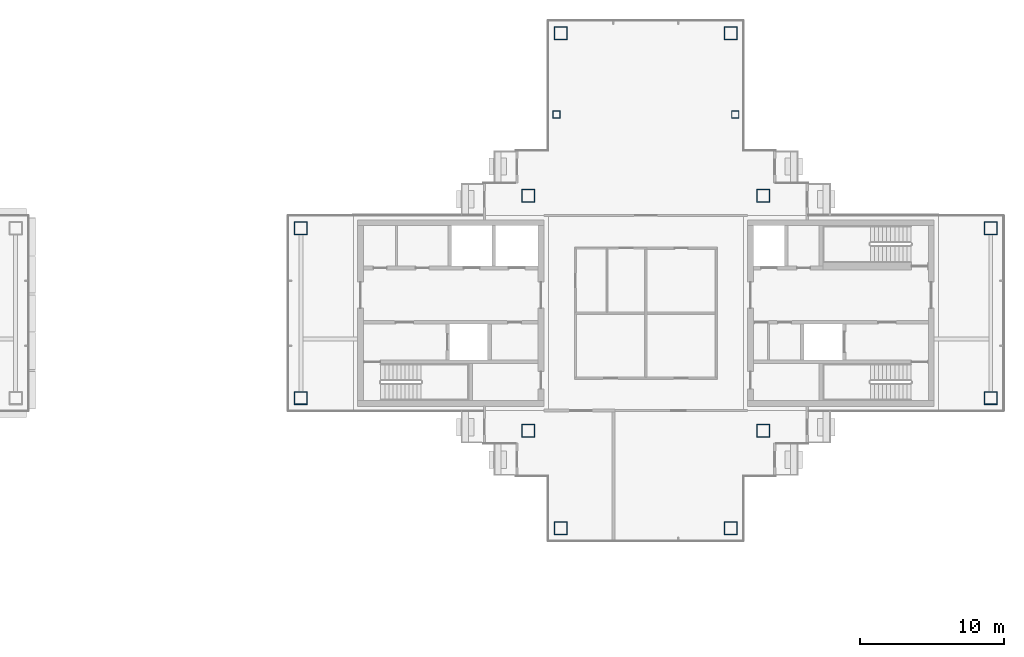
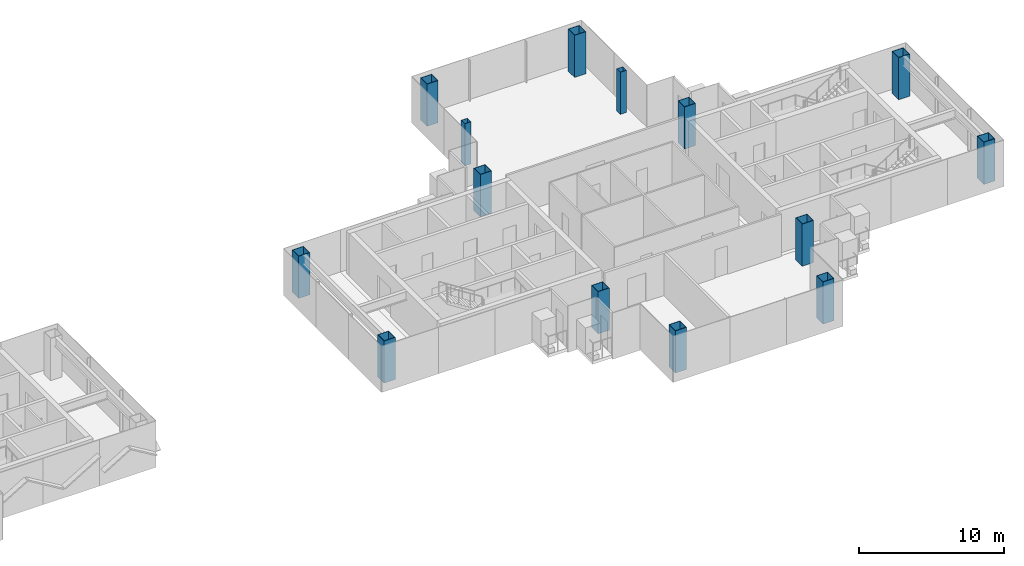
# One storey, part 2 of 17: 14 columns.
"""IFC4 building model written with IfcOpenShell, lengths in metres."""

from ifc_helpers import new_model, si_unit, direction, frame, origin, origin_2d, place, context, subcontext, project, spatial, hollow_rectangle, extrude, material, material_profile, profile_set, type_object, element, save


model = new_model("IFC4")

# Units and contexts
model_context = context("Model", 3, precision=1e-05, world=origin(), true_north=direction((0.0, 1.0)))
body_context = subcontext(model_context, "Body", "Model", "MODEL_VIEW")
ifc_project = project(units=[si_unit("LENGTHUNIT", "METRE"), si_unit("AREAUNIT", "SQUARE_METRE"), si_unit("VOLUMEUNIT", "CUBIC_METRE"), si_unit("PLANEANGLEUNIT", "RADIAN"), si_unit("MASSUNIT", "GRAM", prefix="KILO")], contexts=[model_context])

# Site, building, storey
site_placement = place(None, origin())
site = spatial("IfcSite", under=ifc_project, at=site_placement, CompositionType="ELEMENT")
building_placement = place(site_placement, origin())
building = spatial("IfcBuilding", under=site, at=building_placement, Name="Shamsa Quay Exchange Towers", CompositionType="ELEMENT")
storey_placement = place(building_placement, frame((0.0, 0.0, 257.699951171875)))
storey = spatial("IfcBuildingStorey", under=building, at=storey_placement, Name="L62", CompositionType="ELEMENT", Elevation=257.699951171875)

# Columns
ifc_material_1 = material(Name="Concrete-filled steel tube S355 / C60/75", Category="concrete")
ifc_material_profile_1 = material_profile(ifc_material_1, hollow_rectangle(XDim=0.5, YDim=0.5, WallThickness=0.01611328125, at=origin_2d()), Name="CFT 500x500x16")
ifc_profile_set_1 = profile_set([ifc_material_profile_1], Name="Concrete-filled steel tube S355 / C60/75")
column_type_1 = type_object("IfcColumnType", Name="Column CFT 500x500x16", PredefinedType="COLUMN", material=ifc_profile_set_1)
for number, where, name in (
    (1, (39.9375, 13.75, 0.0), "Perimeter column T2-CP05"),
    (2, (27.5625, 13.75, 0.0), "Perimeter column T2-CP09"),
):
    element("IfcColumn", number, at=place(storey_placement, frame(where)), inside=storey, type_object=column_type_1, Name=name, PredefinedType="COLUMN", context=body_context, shape_type="SweptSolid", body=[
        extrude(hollow_rectangle(XDim=0.5, YDim=0.5, WallThickness=0.01611328125, at=origin_2d()), origin(), (0.0, 0.0, 1.0), 3.550048828125),
    ])
ifc_material_2 = material(Name="Concrete-filled steel tube S355 / C80/95", Category="concrete")
ifc_material_profile_2 = material_profile(ifc_material_2, hollow_rectangle(XDim=0.89990234375, YDim=0.89990234375, WallThickness=0.035888671875, at=origin_2d()), Name="CFT 900x900x36")
ifc_profile_set_2 = profile_set([ifc_material_profile_2], Name="Concrete-filled steel tube S355 / C80/95")
column_type_2 = type_object("IfcColumnType", Name="Column CFT 900x900x36", PredefinedType="COLUMN", material=ifc_profile_set_2)
for number, where, name in (
    (3, (25.625, 8.125, 0.0), "Mega column T2-CM01"),
    (4, (41.875, 8.125, 0.0), "Mega column T2-CM02"),
    (5, (25.625, -8.125, 0.0), "Mega column T2-CM03"),
    (6, (41.875, -8.125, 0.0), "Mega column T2-CM04"),
    (7, (39.625, 19.375, 0.0), "Mega column T2-CM06"),
    (8, (27.875, 19.375, 0.0), "Mega column T2-CM10"),
    (9, (39.625, -14.875, 0.0), "Mega column T2-CM13"),
    (10, (27.875, -14.875, 0.0), "Mega column T2-CM16"),
    (11, (9.875, -5.875, 0.0), "Mega column T2-CM19"),
    (12, (9.875, 5.875, 0.0), "Mega column T2-CM20"),
    (13, (57.625, -5.875, 0.0), "Mega column T2-CM21"),
    (14, (57.625, 5.875, 0.0), "Mega column T2-CM23"),
):
    element("IfcColumn", number, at=place(storey_placement, frame(where)), inside=storey, type_object=column_type_2, Name=name, PredefinedType="COLUMN", context=body_context, shape_type="SweptSolid", body=[
        extrude(hollow_rectangle(XDim=0.89990234375, YDim=0.89990234375, WallThickness=0.035888671875, at=origin_2d()), origin(), (0.0, 0.0, 1.0), 3.550048828125),
    ])

save(model, "model.ifc")
